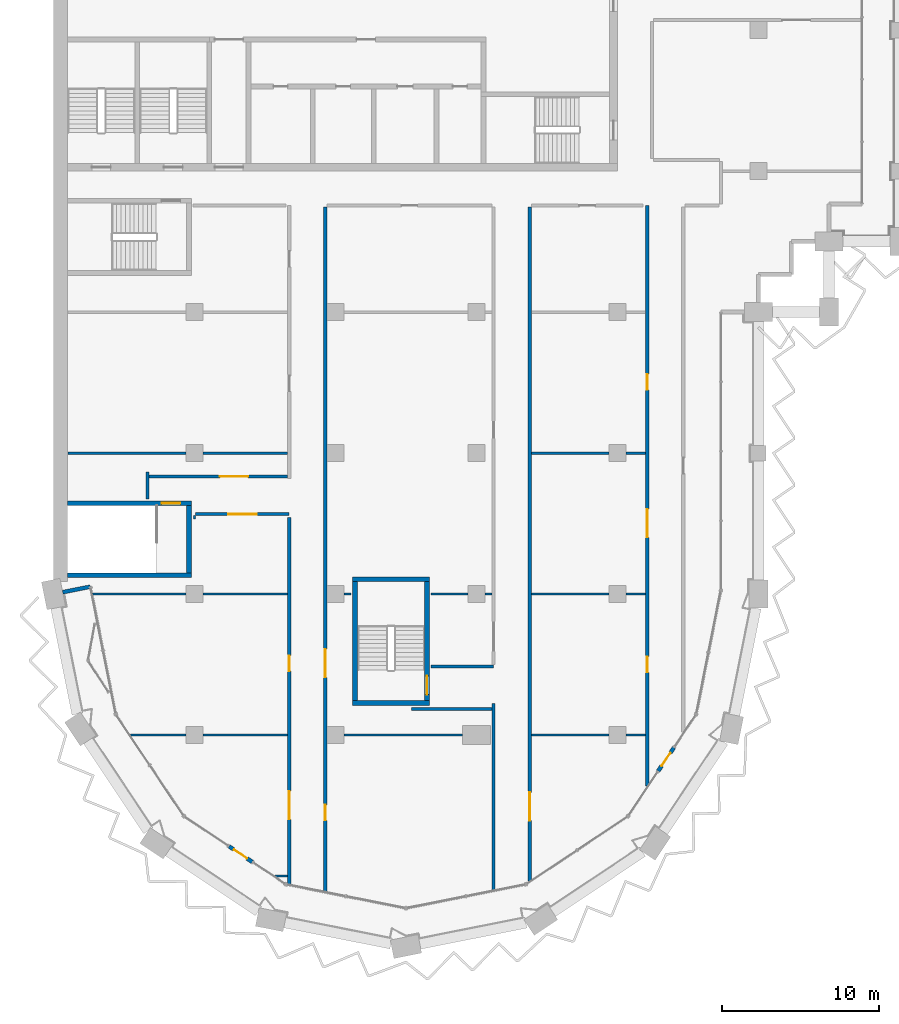
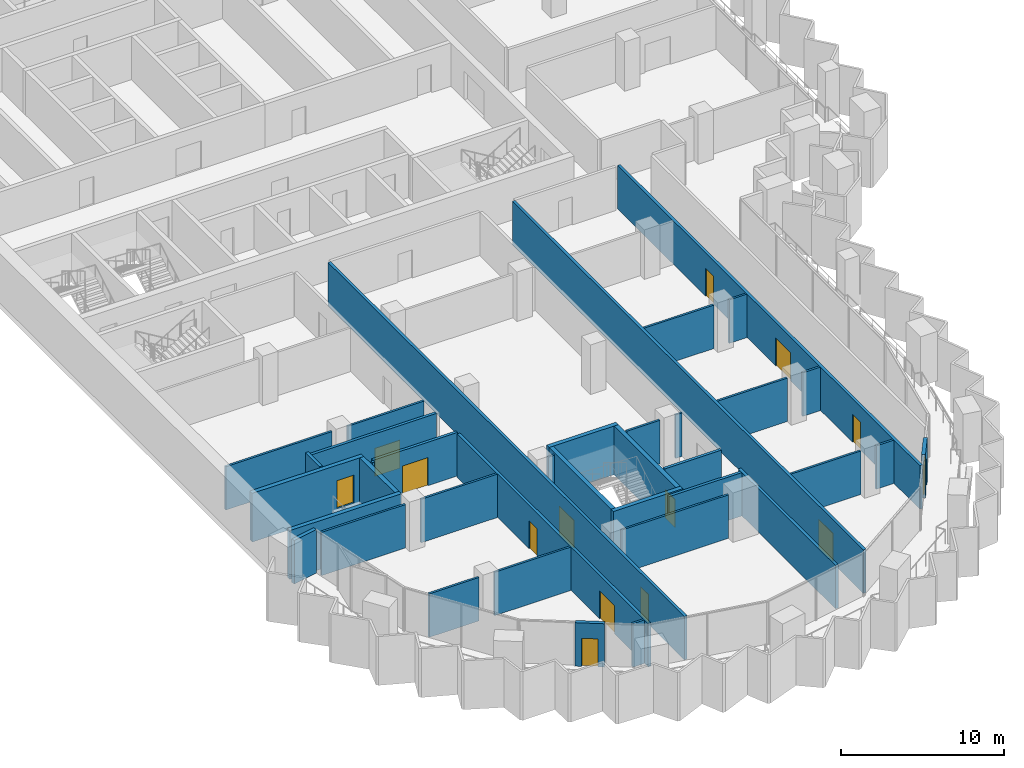
# One storey, part 9 of 18: 38 walls, 14 doors, 14 openings.
"""IFC4 building model written with IfcOpenShell, lengths in metres."""

from ifc_helpers import new_model, si_unit, direction, frame, frame_2d, origin, place, context, subcontext, project, spatial, rectangle, extrude, material, layer, layer_set, type_object, element, fill, save


model = new_model("IFC4")

# Units and contexts
model_context = context("Model", 3, precision=1e-05, world=origin(), true_north=direction((0.0, 1.0)))
body_context = subcontext(model_context, "Body", "Model", "MODEL_VIEW")
ifc_project = project(units=[si_unit("LENGTHUNIT", "METRE"), si_unit("AREAUNIT", "SQUARE_METRE"), si_unit("VOLUMEUNIT", "CUBIC_METRE"), si_unit("PLANEANGLEUNIT", "RADIAN"), si_unit("MASSUNIT", "GRAM", prefix="KILO")], contexts=[model_context])

# Site, building, storey
site_placement = place(None, origin())
site = spatial("IfcSite", under=ifc_project, at=site_placement, CompositionType="ELEMENT")
building_placement = place(site_placement, origin())
building = spatial("IfcBuilding", under=site, at=building_placement, Name="Hunhe Ridgeline Campus", CompositionType="ELEMENT")
storey_placement = place(building_placement, frame((0.0, 0.0, 223.5)))
storey = spatial("IfcBuildingStorey", under=building, at=storey_placement, Name="L57", CompositionType="ELEMENT", Elevation=223.5)

# Walls
ifc_material_1 = material(Name="Concrete C30", Category="concrete")
ifc_layer_1 = layer(ifc_material_1, 0.25)
ifc_layer_set_1 = layer_set([ifc_layer_1], Name="Corner return wall 250 Concrete C30")
wall_type_1 = type_object("IfcWallType", Name="Corner return wall 250 Concrete C30", PredefinedType="SOLIDWALL", material=ifc_layer_set_1)
wall_1_placement = place(storey_placement, frame((0.58837890625, 36.117919921875, 0.0), z_axis=(0.0, 0.0, 1.0), x_axis=(0.980840518545, 0.194812415363, 0.0)))
element("IfcWall", 1, at=wall_1_placement, inside=storey, type_object=wall_type_1, Name="Corner return wall 1", PredefinedType="SOLIDWALL", context=body_context, shape_type="SweptSolid", body=[
    extrude(rectangle(XDim=1.80078125, YDim=0.25, at=frame_2d((0.900390625, 0.0))), origin(), (0.0, 0.0, 1.0), 3.25),
])
ifc_material_2 = material(Name="Gypsum board partition")
ifc_layer_2 = layer(ifc_material_2, 0.199951171875)
ifc_layer_set_2 = layer_set([ifc_layer_2], Name="Corridor partition 200 gypsum board on steel studs")
wall_type_2 = type_object("IfcWallType", Name="Corridor partition 200 gypsum board on steel studs", PredefinedType="PARTITIONING", material=ifc_layer_set_2)
wall_2_placement = place(storey_placement, frame((28.0, 28.675048828125, 0.0), z_axis=(0.0, 0.0, 1.0), x_axis=(-1.0, 0.0, 0.0)))
element("IfcWall", 2, at=wall_2_placement, inside=storey, type_object=wall_type_2, Name="F-L57-wall-007", PredefinedType="PARTITIONING", context=body_context, shape_type="SweptSolid", body=[
    extrude(rectangle(XDim=5.14990234375, YDim=0.199951171875, at=frame_2d((2.574951171875, 0.0))), origin(), (0.0, 0.0, 1.0), 3.25),
])
wall_3_placement = place(storey_placement, frame((24.10400390625, 31.375, 0.0), z_axis=(0.0, 0.0, 1.0), x_axis=(1.0, 0.0, 0.0)))
element("IfcWall", 3, at=wall_3_placement, inside=storey, type_object=wall_type_2, Name="F-L57-wall-008", PredefinedType="PARTITIONING", context=body_context, shape_type="SweptSolid", body=[
    extrude(rectangle(XDim=3.99609375, YDim=0.199951171875, at=frame_2d((1.998046875, 0.0))), origin(), (0.0, 0.0, 1.0), 3.25),
])

# Wall, opening, door
wall_4_placement = place(storey_placement, frame((15.050048828125, 41.10009765625, 0.0), z_axis=(0.0, 0.0, 1.0), x_axis=(-1.0, 0.0, 0.0)))
wall_4 = element("IfcWall", 4, at=wall_4_placement, inside=storey, type_object=wall_type_2, Name="F-L57-wall-016", PredefinedType="PARTITIONING", context=body_context, shape_type="SweptSolid", body=[
    extrude(rectangle(XDim=5.97509765625, YDim=0.199951171875, at=frame_2d((2.987548828125, 0.0))), origin(), (0.0, 0.0, 1.0), 3.25),
])
opening_1_placement = place(wall_4_placement, frame((2.08740234375, 0.0, 0.0)))
opening_1 = element("IfcOpeningElement", 5, at=opening_1_placement, cuts=wall_4, Name="Opening RD2-009", PredefinedType="OPENING", context=body_context, shape_type="SweptSolid", body=[
    extrude(rectangle(XDim=1.800048828125, YDim=2.10009765625, at=frame_2d((0.89990234375, 1.050048828125))), frame((0.0, 0.10009765625, 0.0), z_axis=(0.0, -1.0, 0.0), x_axis=(1.0, 0.0, 0.0)), (0.0, 0.0, 1.0), 0.199951171875),
])
ifc_material_3 = material(Name="Timber door leaf", Category="wood")
door_type_1 = type_object("IfcDoorType", Name="Double fire door 1800x2100 timber FD60", OperationType="DOUBLE_DOOR_SINGLE_SWING", PredefinedType="DOOR", material=ifc_material_3)
door_1_placement = place(opening_1_placement, origin())
door_1 = element("IfcDoor", 6, at=door_1_placement, inside=storey, type_object=door_type_1, Name="F-L57-door-009", OperationType="DOUBLE_DOOR_SINGLE_SWING", OverallHeight=2.10009765625, OverallWidth=1.800048828125, PredefinedType="DOOR", context=body_context, shape_type="SweptSolid", body=[
    extrude(rectangle(XDim=1.800048828125, YDim=2.10009765625, at=frame_2d((0.89990234375, 1.050048828125))), frame((0.0, 0.02490234375, 0.0), z_axis=(0.0, -1.0, 0.0), x_axis=(1.0, 0.0, 0.0)), (0.0, 0.0, 1.0), 0.050048828125),
])
fill(opening_1, door_1)

wall_5_placement = place(storey_placement, frame((6.10009765625, 43.5, 0.0), z_axis=(0.0, 0.0, 1.0), x_axis=(1.0, 0.0, 0.0)))
wall_5 = element("IfcWall", 7, at=wall_5_placement, inside=storey, type_object=wall_type_2, Name="F-L57-wall-017", PredefinedType="PARTITIONING", context=body_context, shape_type="SweptSolid", body=[
    extrude(rectangle(XDim=8.849853515625, YDim=0.199951171875, at=frame_2d((4.4248046875, 0.0))), origin(), (0.0, 0.0, 1.0), 3.25),
])
opening_2_placement = place(wall_5_placement, frame((4.52490234375, 0.0, 0.0)))
opening_2 = element("IfcOpeningElement", 8, at=opening_2_placement, cuts=wall_5, Name="Opening RD2-010", PredefinedType="OPENING", context=body_context, shape_type="SweptSolid", body=[
    extrude(rectangle(XDim=1.800048828125, YDim=2.10009765625, at=frame_2d((0.89990234375, 1.050048828125))), frame((0.0, 0.10009765625, 0.0), z_axis=(0.0, -1.0, 0.0), x_axis=(1.0, 0.0, 0.0)), (0.0, 0.0, 1.0), 0.199951171875),
])
door_2_placement = place(opening_2_placement, origin())
door_2 = element("IfcDoor", 9, at=door_2_placement, inside=storey, type_object=door_type_1, Name="F-L57-door-010", OperationType="DOUBLE_DOOR_SINGLE_SWING", OverallHeight=2.10009765625, OverallWidth=1.800048828125, PredefinedType="DOOR", context=body_context, shape_type="SweptSolid", body=[
    extrude(rectangle(XDim=1.800048828125, YDim=2.10009765625, at=frame_2d((0.89990234375, 1.050048828125))), frame((0.0, 0.02490234375, 0.0), z_axis=(0.0, -1.0, 0.0), x_axis=(1.0, 0.0, 0.0)), (0.0, 0.0, 1.0), 0.050048828125),
])
fill(opening_2, door_2)

# Wall
wall_6_placement = place(storey_placement, frame((6.0, 42.053955078125, 0.0), z_axis=(0.0, 0.0, 1.0), x_axis=(0.0, 1.0, 0.0)))
element("IfcWall", 10, at=wall_6_placement, inside=storey, type_object=wall_type_2, Name="F-L57-wall-038", PredefinedType="PARTITIONING", context=body_context, shape_type="SweptSolid", body=[
    extrude(rectangle(XDim=1.74609375, YDim=0.199951171875, at=frame_2d((0.873046875, 0.0))), origin(), (0.0, 0.0, 1.0), 3.25),
])

# Wall, openings, doors
wall_7_placement = place(storey_placement, frame((15.050048828125, 17.485107421875, 0.0), z_axis=(0.0, 0.0, 1.0), x_axis=(0.0, 1.0, 0.0)))
wall_7 = element("IfcWall", 11, at=wall_7_placement, inside=storey, type_object=wall_type_2, Name="F-L57-wall-040", PredefinedType="PARTITIONING", context=body_context, shape_type="SweptSolid", body=[
    extrude(rectangle(XDim=23.39990234375, YDim=0.199951171875, at=frame_2d((11.699951171875, 0.0))), origin(), (0.0, 0.0, 1.0), 3.25),
])
opening_3_placement = place(wall_7_placement, frame((4.13232421875, 0.0, 0.0)))
opening_3 = element("IfcOpeningElement", 12, at=opening_3_placement, cuts=wall_7, Name="Opening RD2-003", PredefinedType="OPENING", context=body_context, shape_type="SweptSolid", body=[
    extrude(rectangle(XDim=1.800048828125, YDim=2.10009765625, at=frame_2d((0.89990234375, 1.050048828125))), frame((0.0, 0.10009765625, 0.0), z_axis=(0.0, -1.0, 0.0), x_axis=(1.0, 0.0, 0.0)), (0.0, 0.0, 1.0), 0.199951171875),
])
opening_4_placement = place(wall_7_placement, frame((13.59033203125, 0.0, 0.0)))
opening_4 = element("IfcOpeningElement", 13, at=opening_4_placement, cuts=wall_7, Name="Opening RD1-005", PredefinedType="OPENING", context=body_context, shape_type="SweptSolid", body=[
    extrude(rectangle(XDim=1.0, YDim=2.10009765625, at=frame_2d((0.5, 1.050048828125))), frame((0.0, 0.10009765625, 0.0), z_axis=(0.0, -1.0, 0.0), x_axis=(1.0, 0.0, 0.0)), (0.0, 0.0, 1.0), 0.199951171875),
])
door_3_placement = place(opening_3_placement, origin())
door_3 = element("IfcDoor", 14, at=door_3_placement, inside=storey, type_object=door_type_1, Name="F-L57-door-003", OperationType="DOUBLE_DOOR_SINGLE_SWING", OverallHeight=2.10009765625, OverallWidth=1.800048828125, PredefinedType="DOOR", context=body_context, shape_type="SweptSolid", body=[
    extrude(rectangle(XDim=1.800048828125, YDim=2.10009765625, at=frame_2d((0.89990234375, 1.050048828125))), frame((0.0, 0.02490234375, 0.0), z_axis=(0.0, -1.0, 0.0), x_axis=(1.0, 0.0, 0.0)), (0.0, 0.0, 1.0), 0.050048828125),
])
fill(opening_3, door_3)
door_type_2 = type_object("IfcDoorType", Name="Single fire door 1000x2100 timber FD60", OperationType="NOTDEFINED", PredefinedType="DOOR", material=ifc_material_3)
door_4_placement = place(opening_4_placement, origin())
door_4 = element("IfcDoor", 15, at=door_4_placement, inside=storey, type_object=door_type_2, Name="F-L57-door-005", OperationType="SINGLE_SWING_RIGHT", OverallHeight=2.10009765625, OverallWidth=1.0, PredefinedType="DOOR", context=body_context, shape_type="SweptSolid", body=[
    extrude(rectangle(XDim=1.0, YDim=2.10009765625, at=frame_2d((0.5, 1.050048828125))), frame((0.0, 0.02490234375, 0.0), z_axis=(0.0, -1.0, 0.0), x_axis=(1.0, 0.0, 0.0)), (0.0, 0.0, 1.0), 0.050048828125),
])
fill(opening_4, door_4)

wall_8_placement = place(storey_placement, frame((17.35009765625, 60.699951171875, 0.0), z_axis=(0.0, 0.0, 1.0), x_axis=(0.0, -1.0, 0.0)))
wall_8 = element("IfcWall", 16, at=wall_8_placement, inside=storey, type_object=wall_type_2, Name="F-L57-wall-042", PredefinedType="PARTITIONING", context=body_context, shape_type="SweptSolid", body=[
    extrude(rectangle(XDim=43.67236328125, YDim=0.199951171875, at=frame_2d((21.836181640625, 0.0))), origin(), (0.0, 0.0, 1.0), 3.25),
])
opening_5_placement = place(wall_8_placement, frame((38.152587890625, 0.0, 0.0)))
opening_5 = element("IfcOpeningElement", 17, at=opening_5_placement, cuts=wall_8, Name="Opening RD1-001", PredefinedType="OPENING", context=body_context, shape_type="SweptSolid", body=[
    extrude(rectangle(XDim=1.0, YDim=2.10009765625, at=frame_2d((0.5, 1.050048828125))), frame((0.0, 0.10009765625, 0.0), z_axis=(0.0, -1.0, 0.0), x_axis=(1.0, 0.0, 0.0)), (0.0, 0.0, 1.0), 0.199951171875),
])
opening_6_placement = place(wall_8_placement, frame((28.215087890625, 0.0, 0.0)))
opening_6 = element("IfcOpeningElement", 18, at=opening_6_placement, cuts=wall_8, Name="Opening RD2-006", PredefinedType="OPENING", context=body_context, shape_type="SweptSolid", body=[
    extrude(rectangle(XDim=1.800048828125, YDim=2.10009765625, at=frame_2d((0.89990234375, 1.050048828125))), frame((0.0, 0.10009765625, 0.0), z_axis=(0.0, -1.0, 0.0), x_axis=(1.0, 0.0, 0.0)), (0.0, 0.0, 1.0), 0.199951171875),
])
door_5_placement = place(opening_6_placement, origin())
door_5 = element("IfcDoor", 19, at=door_5_placement, inside=storey, type_object=door_type_1, Name="F-L57-door-006", OperationType="DOUBLE_DOOR_SINGLE_SWING", OverallHeight=2.10009765625, OverallWidth=1.800048828125, PredefinedType="DOOR", context=body_context, shape_type="SweptSolid", body=[
    extrude(rectangle(XDim=1.800048828125, YDim=2.10009765625, at=frame_2d((0.89990234375, 1.050048828125))), frame((0.0, 0.02490234375, 0.0), z_axis=(0.0, -1.0, 0.0), x_axis=(1.0, 0.0, 0.0)), (0.0, 0.0, 1.0), 0.050048828125),
])
fill(opening_6, door_5)
door_6_placement = place(opening_5_placement, origin())
door_6 = element("IfcDoor", 20, at=door_6_placement, inside=storey, type_object=door_type_2, Name="F-L57-door-001", OperationType="SINGLE_SWING_LEFT", OverallHeight=2.10009765625, OverallWidth=1.0, PredefinedType="DOOR", context=body_context, shape_type="SweptSolid", body=[
    extrude(rectangle(XDim=1.0, YDim=2.10009765625, at=frame_2d((0.5, 1.050048828125))), frame((0.0, 0.02490234375, 0.0), z_axis=(0.0, -1.0, 0.0), x_axis=(1.0, 0.0, 0.0)), (0.0, 0.0, 1.0), 0.050048828125),
])
fill(opening_5, door_6)

# Wall
wall_9_placement = place(storey_placement, frame((28.10009765625, 17.116943359375, 0.0), z_axis=(0.0, 0.0, 1.0), x_axis=(0.0, 1.0, 0.0)))
element("IfcWall", 21, at=wall_9_placement, inside=storey, type_object=wall_type_2, Name="F-L57-wall-043", PredefinedType="PARTITIONING", context=body_context, shape_type="SweptSolid", body=[
    extrude(rectangle(XDim=11.91357421875, YDim=0.199951171875, at=frame_2d((5.956787109375, 0.0))), origin(), (0.0, 0.0, 1.0), 3.25),
])

# Wall, opening, door
wall_10_placement = place(storey_placement, frame((30.39990234375, 60.699951171875, 0.0), z_axis=(0.0, 0.0, 1.0), x_axis=(0.0, -1.0, 0.0)))
wall_10 = element("IfcWall", 22, at=wall_10_placement, inside=storey, type_object=wall_type_2, Name="F-L57-wall-045", PredefinedType="PARTITIONING", context=body_context, shape_type="SweptSolid", body=[
    extrude(rectangle(XDim=43.00927734375, YDim=0.199951171875, at=frame_2d((21.504638671875, 0.0))), origin(), (0.0, 0.0, 1.0), 3.25),
])
opening_7_placement = place(wall_10_placement, frame((37.3583984375, 0.0, 0.0)))
opening_7 = element("IfcOpeningElement", 23, at=opening_7_placement, cuts=wall_10, Name="Opening RD2-002", PredefinedType="OPENING", context=body_context, shape_type="SweptSolid", body=[
    extrude(rectangle(XDim=1.800048828125, YDim=2.10009765625, at=frame_2d((0.89990234375, 1.050048828125))), frame((0.0, 0.10009765625, 0.0), z_axis=(0.0, -1.0, 0.0), x_axis=(1.0, 0.0, 0.0)), (0.0, 0.0, 1.0), 0.199951171875),
])
door_7_placement = place(opening_7_placement, origin())
door_7 = element("IfcDoor", 24, at=door_7_placement, inside=storey, type_object=door_type_1, Name="F-L57-door-002", OperationType="DOUBLE_DOOR_SINGLE_SWING", OverallHeight=2.10009765625, OverallWidth=1.800048828125, PredefinedType="DOOR", context=body_context, shape_type="SweptSolid", body=[
    extrude(rectangle(XDim=1.800048828125, YDim=2.10009765625, at=frame_2d((0.89990234375, 1.050048828125))), frame((0.0, 0.02490234375, 0.0), z_axis=(0.0, -1.0, 0.0), x_axis=(1.0, 0.0, 0.0)), (0.0, 0.0, 1.0), 0.050048828125),
])
fill(opening_7, door_7)

# Wall, openings, doors
wall_11_placement = place(storey_placement, frame((37.89990234375, 23.745849609375, 0.0), z_axis=(0.0, 0.0, 1.0), x_axis=(0.0, 1.0, 0.0)))
wall_11 = element("IfcWall", 25, at=wall_11_placement, inside=storey, type_object=wall_type_2, Name="F-L57-wall-046", PredefinedType="PARTITIONING", context=body_context, shape_type="SweptSolid", body=[
    extrude(rectangle(XDim=37.05419921875, YDim=0.199951171875, at=frame_2d((18.527099609375, 0.0))), origin(), (0.0, 0.0, 1.0), 3.25),
])
opening_8_placement = place(wall_11_placement, frame((7.26123046875, 0.0, 0.0)))
opening_8 = element("IfcOpeningElement", 26, at=opening_8_placement, cuts=wall_11, Name="Opening RD1-004", PredefinedType="OPENING", context=body_context, shape_type="SweptSolid", body=[
    extrude(rectangle(XDim=1.0, YDim=2.10009765625, at=frame_2d((0.5, 1.050048828125))), frame((0.0, 0.10009765625, 0.0), z_axis=(0.0, -1.0, 0.0), x_axis=(1.0, 0.0, 0.0)), (0.0, 0.0, 1.0), 0.199951171875),
])
opening_9_placement = place(wall_11_placement, frame((15.87451171875, 0.0, 0.0)))
opening_9 = element("IfcOpeningElement", 27, at=opening_9_placement, cuts=wall_11, Name="Opening RD2-008", PredefinedType="OPENING", context=body_context, shape_type="SweptSolid", body=[
    extrude(rectangle(XDim=1.800048828125, YDim=2.10009765625, at=frame_2d((0.89990234375, 1.050048828125))), frame((0.0, 0.10009765625, 0.0), z_axis=(0.0, -1.0, 0.0), x_axis=(1.0, 0.0, 0.0)), (0.0, 0.0, 1.0), 0.199951171875),
])
opening_10_placement = place(wall_11_placement, frame((25.28759765625, 0.0, 0.0)))
opening_10 = element("IfcOpeningElement", 28, at=opening_10_placement, cuts=wall_11, Name="Opening RD1-014", PredefinedType="OPENING", context=body_context, shape_type="SweptSolid", body=[
    extrude(rectangle(XDim=1.0, YDim=2.10009765625, at=frame_2d((0.5, 1.050048828125))), frame((0.0, 0.10009765625, 0.0), z_axis=(0.0, -1.0, 0.0), x_axis=(1.0, 0.0, 0.0)), (0.0, 0.0, 1.0), 0.199951171875),
])
door_8_placement = place(opening_9_placement, origin())
door_8 = element("IfcDoor", 29, at=door_8_placement, inside=storey, type_object=door_type_1, Name="F-L57-door-008", OperationType="DOUBLE_DOOR_SINGLE_SWING", OverallHeight=2.10009765625, OverallWidth=1.800048828125, PredefinedType="DOOR", context=body_context, shape_type="SweptSolid", body=[
    extrude(rectangle(XDim=1.800048828125, YDim=2.10009765625, at=frame_2d((0.89990234375, 1.050048828125))), frame((0.0, 0.02490234375, 0.0), z_axis=(0.0, -1.0, 0.0), x_axis=(1.0, 0.0, 0.0)), (0.0, 0.0, 1.0), 0.050048828125),
])
fill(opening_9, door_8)
door_9_placement = place(opening_8_placement, origin())
door_9 = element("IfcDoor", 30, at=door_9_placement, inside=storey, type_object=door_type_2, Name="F-L57-door-004", OperationType="SINGLE_SWING_RIGHT", OverallHeight=2.10009765625, OverallWidth=1.0, PredefinedType="DOOR", context=body_context, shape_type="SweptSolid", body=[
    extrude(rectangle(XDim=1.0, YDim=2.10009765625, at=frame_2d((0.5, 1.050048828125))), frame((0.0, 0.02490234375, 0.0), z_axis=(0.0, -1.0, 0.0), x_axis=(1.0, 0.0, 0.0)), (0.0, 0.0, 1.0), 0.050048828125),
])
fill(opening_8, door_9)
door_10_placement = place(opening_10_placement, origin())
door_10 = element("IfcDoor", 31, at=door_10_placement, inside=storey, type_object=door_type_2, Name="F-L57-door-014", OperationType="SINGLE_SWING_RIGHT", OverallHeight=2.10009765625, OverallWidth=1.0, PredefinedType="DOOR", context=body_context, shape_type="SweptSolid", body=[
    extrude(rectangle(XDim=1.0, YDim=2.10009765625, at=frame_2d((0.5, 1.050048828125))), frame((0.0, 0.02490234375, 0.0), z_axis=(0.0, -1.0, 0.0), x_axis=(1.0, 0.0, 0.0)), (0.0, 0.0, 1.0), 0.050048828125),
])
fill(opening_10, door_10)

# Wall, opening, door
ifc_layer_3 = layer(ifc_material_1, 0.25)
ifc_layer_set_3 = layer_set([ifc_layer_3], Name="Loggia door pier wall 250 Concrete C30")
wall_type_3 = type_object("IfcWallType", Name="Loggia door pier wall 250 Concrete C30", PredefinedType="SOLIDWALL", material=ifc_layer_set_3)
wall_12_placement = place(storey_placement, frame((11.19970703125, 19.897705078125, 0.0), z_axis=(0.0, 0.0, 1.0), x_axis=(0.83146554274, -0.555576323502, 0.0)))
wall_12 = element("IfcWall", 32, at=wall_12_placement, inside=storey, type_object=wall_type_3, Name="Loggia door pier 1", PredefinedType="SOLIDWALL", context=body_context, shape_type="SweptSolid", body=[
    extrude(rectangle(XDim=1.800048828125, YDim=0.25, at=frame_2d((0.89990234375, 0.0))), origin(), (0.0, 0.0, 1.0), 3.25),
])
opening_11_placement = place(wall_12_placement, frame((0.39990234375, 0.0, 0.0)))
opening_11 = element("IfcOpeningElement", 33, at=opening_11_placement, cuts=wall_12, Name="Opening BD402", PredefinedType="OPENING", context=body_context, shape_type="SweptSolid", body=[
    extrude(rectangle(XDim=1.0, YDim=2.10009765625, at=frame_2d((0.5, 1.050048828125))), frame((0.0, 0.125, 0.0), z_axis=(0.0, -1.0, 0.0), x_axis=(1.0, 0.0, 0.0)), (0.0, 0.0, 1.0), 0.25),
])
ifc_material_4 = material(Name="Aluminium 6063", Category="aluminium")
door_type_3 = type_object("IfcDoorType", Name="Loggia glazed door 1000x2100", OperationType="NOTDEFINED", PredefinedType="DOOR", material=ifc_material_4)
door_11_placement = place(opening_11_placement, frame((1.0, 0.0, 0.0), z_axis=(0.0, 0.0, 1.0), x_axis=(-1.0, 0.0, 0.0)))
door_11 = element("IfcDoor", 34, at=door_11_placement, inside=storey, type_object=door_type_3, Name="Loggia door BD402", OperationType="SINGLE_SWING_LEFT", OverallHeight=2.10009765625, OverallWidth=1.0, PredefinedType="DOOR", context=body_context, shape_type="SweptSolid", body=[
    extrude(rectangle(XDim=1.0, YDim=2.10009765625, at=frame_2d((0.5, 1.050048828125))), frame((0.0, 0.02490234375, 0.0), z_axis=(0.0, -1.0, 0.0), x_axis=(1.0, 0.0, 0.0)), (0.0, 0.0, 1.0), 0.050048828125),
])
fill(opening_11, door_11)

wall_13_placement = place(storey_placement, frame((38.602294921875, 24.69970703125, 0.0), z_axis=(0.0, 0.0, 1.0), x_axis=(0.555576323502, 0.83146554274, 0.0)))
wall_13 = element("IfcWall", 35, at=wall_13_placement, inside=storey, type_object=wall_type_3, Name="Loggia door pier 2", PredefinedType="SOLIDWALL", context=body_context, shape_type="SweptSolid", body=[
    extrude(rectangle(XDim=1.800048828125, YDim=0.25, at=frame_2d((0.89990234375, 0.0))), origin(), (0.0, 0.0, 1.0), 3.25),
])
opening_12_placement = place(wall_13_placement, frame((0.39990234375, 0.0, 0.0)))
opening_12 = element("IfcOpeningElement", 36, at=opening_12_placement, cuts=wall_13, Name="Opening BD404", PredefinedType="OPENING", context=body_context, shape_type="SweptSolid", body=[
    extrude(rectangle(XDim=1.0, YDim=2.10009765625, at=frame_2d((0.5, 1.050048828125))), frame((0.0, 0.125, 0.0), z_axis=(0.0, -1.0, 0.0), x_axis=(1.0, 0.0, 0.0)), (0.0, 0.0, 1.0), 0.25),
])
door_12_placement = place(opening_12_placement, frame((1.0, 0.0, 0.0), z_axis=(0.0, 0.0, 1.0), x_axis=(-1.0, 0.0, 0.0)))
door_12 = element("IfcDoor", 37, at=door_12_placement, inside=storey, type_object=door_type_3, Name="Loggia door BD404", OperationType="SINGLE_SWING_LEFT", OverallHeight=2.10009765625, OverallWidth=1.0, PredefinedType="DOOR", context=body_context, shape_type="SweptSolid", body=[
    extrude(rectangle(XDim=1.0, YDim=2.10009765625, at=frame_2d((0.5, 1.050048828125))), frame((0.0, 0.02490234375, 0.0), z_axis=(0.0, -1.0, 0.0), x_axis=(1.0, 0.0, 0.0)), (0.0, 0.0, 1.0), 0.050048828125),
])
fill(opening_12, door_12)

# Walls
ifc_layer_4 = layer(ifc_material_2, 0.14990234375)
ifc_layer_set_4 = layer_set([ifc_layer_4], Name="Room partition 150 gypsum board on steel studs")
wall_type_4 = type_object("IfcWallType", Name="Room partition 150 gypsum board on steel studs", PredefinedType="PARTITIONING", material=ifc_layer_set_4)
wall_14_placement = place(storey_placement, frame((14.136962890625, 18.0, 0.0), z_axis=(0.0, 0.0, 1.0), x_axis=(1.0, 0.0, 0.0)))
element("IfcWall", 38, at=wall_14_placement, inside=storey, type_object=wall_type_4, Name="F-L57-wall-001", PredefinedType="PARTITIONING", context=body_context, shape_type="SweptSolid", body=[
    extrude(rectangle(XDim=0.81298828125, YDim=0.14990234375, at=frame_2d((0.406494140625, 0.0))), origin(), (0.0, 0.0, 1.0), 3.25),
])
wall_15_placement = place(storey_placement, frame((4.925537109375, 27.0, 0.0), z_axis=(0.0, 0.0, 1.0), x_axis=(1.0, 0.0, 0.0)))
element("IfcWall", 39, at=wall_15_placement, inside=storey, type_object=wall_type_4, Name="F-L57-wall-002", PredefinedType="PARTITIONING", context=body_context, shape_type="SweptSolid", body=[
    extrude(rectangle(XDim=3.5244140625, YDim=0.14990234375, at=frame_2d((1.76220703125, 0.0))), origin(), (0.0, 0.0, 1.0), 3.25),
])
wall_16_placement = place(storey_placement, frame((9.550048828125, 27.0, 0.0), z_axis=(0.0, 0.0, 1.0), x_axis=(1.0, 0.0, 0.0)))
element("IfcWall", 40, at=wall_16_placement, inside=storey, type_object=wall_type_4, Name="F-L57-wall-003", PredefinedType="PARTITIONING", context=body_context, shape_type="SweptSolid", body=[
    extrude(rectangle(XDim=5.39990234375, YDim=0.14990234375, at=frame_2d((2.699951171875, 0.0))), origin(), (0.0, 0.0, 1.0), 3.25),
])
wall_17_placement = place(storey_placement, frame((18.550048828125, 27.0, 0.0), z_axis=(0.0, 0.0, 1.0), x_axis=(1.0, 0.0, 0.0)))
element("IfcWall", 41, at=wall_17_placement, inside=storey, type_object=wall_type_4, Name="F-L57-wall-004", PredefinedType="PARTITIONING", context=body_context, shape_type="SweptSolid", body=[
    extrude(rectangle(XDim=7.550048828125, YDim=0.14990234375, at=frame_2d((3.77490234375, 0.0))), origin(), (0.0, 0.0, 1.0), 3.25),
])
wall_18_placement = place(storey_placement, frame((30.5, 27.0, 0.0), z_axis=(0.0, 0.0, 1.0), x_axis=(1.0, 0.0, 0.0)))
element("IfcWall", 42, at=wall_18_placement, inside=storey, type_object=wall_type_4, Name="F-L57-wall-005", PredefinedType="PARTITIONING", context=body_context, shape_type="SweptSolid", body=[
    extrude(rectangle(XDim=4.949951171875, YDim=0.14990234375, at=frame_2d((2.47509765625, 0.0))), origin(), (0.0, 0.0, 1.0), 3.25),
])
wall_19_placement = place(storey_placement, frame((36.550048828125, 27.0, 0.0), z_axis=(0.0, 0.0, 1.0), x_axis=(1.0, 0.0, 0.0)))
element("IfcWall", 43, at=wall_19_placement, inside=storey, type_object=wall_type_4, Name="F-L57-wall-006", PredefinedType="PARTITIONING", context=body_context, shape_type="SweptSolid", body=[
    extrude(rectangle(XDim=1.25, YDim=0.14990234375, at=frame_2d((0.625, 0.0))), origin(), (0.0, 0.0, 1.0), 3.25),
])
wall_20_placement = place(storey_placement, frame((2.503173828125, 36.0, 0.0), z_axis=(0.0, 0.0, 1.0), x_axis=(1.0, 0.0, 0.0)))
element("IfcWall", 44, at=wall_20_placement, inside=storey, type_object=wall_type_4, Name="F-L57-wall-009", PredefinedType="PARTITIONING", context=body_context, shape_type="SweptSolid", body=[
    extrude(rectangle(XDim=5.94677734375, YDim=0.14990234375, at=frame_2d((2.973388671875, 0.0))), origin(), (0.0, 0.0, 1.0), 3.25),
])
wall_21_placement = place(storey_placement, frame((9.550048828125, 36.0, 0.0), z_axis=(0.0, 0.0, 1.0), x_axis=(1.0, 0.0, 0.0)))
element("IfcWall", 45, at=wall_21_placement, inside=storey, type_object=wall_type_4, Name="F-L57-wall-010", PredefinedType="PARTITIONING", context=body_context, shape_type="SweptSolid", body=[
    extrude(rectangle(XDim=5.39990234375, YDim=0.14990234375, at=frame_2d((2.699951171875, 0.0))), origin(), (0.0, 0.0, 1.0), 3.25),
])
wall_22_placement = place(storey_placement, frame((18.550048828125, 36.0, 0.0), z_axis=(0.0, 0.0, 1.0), x_axis=(1.0, 0.0, 0.0)))
element("IfcWall", 46, at=wall_22_placement, inside=storey, type_object=wall_type_4, Name="F-L57-wall-011", PredefinedType="PARTITIONING", context=body_context, shape_type="SweptSolid", body=[
    extrude(rectangle(XDim=0.446044921875, YDim=0.14990234375, at=frame_2d((0.22314453125, 0.0))), origin(), (0.0, 0.0, 1.0), 3.25),
])
wall_23_placement = place(storey_placement, frame((24.10400390625, 36.0, 0.0), z_axis=(0.0, 0.0, 1.0), x_axis=(1.0, 0.0, 0.0)))
element("IfcWall", 47, at=wall_23_placement, inside=storey, type_object=wall_type_4, Name="F-L57-wall-012", PredefinedType="PARTITIONING", context=body_context, shape_type="SweptSolid", body=[
    extrude(rectangle(XDim=2.345947265625, YDim=0.14990234375, at=frame_2d((1.1728515625, 0.0))), origin(), (0.0, 0.0, 1.0), 3.25),
])
wall_24_placement = place(storey_placement, frame((27.550048828125, 36.0, 0.0), z_axis=(0.0, 0.0, 1.0), x_axis=(1.0, 0.0, 0.0)))
element("IfcWall", 48, at=wall_24_placement, inside=storey, type_object=wall_type_4, Name="F-L57-wall-013", PredefinedType="PARTITIONING", context=body_context, shape_type="SweptSolid", body=[
    extrude(rectangle(XDim=0.449951171875, YDim=0.14990234375, at=frame_2d((0.22509765625, 0.0))), origin(), (0.0, 0.0, 1.0), 3.25),
])
wall_25_placement = place(storey_placement, frame((30.5, 36.0, 0.0), z_axis=(0.0, 0.0, 1.0), x_axis=(1.0, 0.0, 0.0)))
element("IfcWall", 49, at=wall_25_placement, inside=storey, type_object=wall_type_4, Name="F-L57-wall-014", PredefinedType="PARTITIONING", context=body_context, shape_type="SweptSolid", body=[
    extrude(rectangle(XDim=4.949951171875, YDim=0.14990234375, at=frame_2d((2.47509765625, 0.0))), origin(), (0.0, 0.0, 1.0), 3.25),
])
wall_26_placement = place(storey_placement, frame((36.550048828125, 36.0, 0.0), z_axis=(0.0, 0.0, 1.0), x_axis=(1.0, 0.0, 0.0)))
element("IfcWall", 50, at=wall_26_placement, inside=storey, type_object=wall_type_4, Name="F-L57-wall-015", PredefinedType="PARTITIONING", context=body_context, shape_type="SweptSolid", body=[
    extrude(rectangle(XDim=1.25, YDim=0.14990234375, at=frame_2d((0.625, 0.0))), origin(), (0.0, 0.0, 1.0), 3.25),
])
wall_27_placement = place(storey_placement, frame((0.919921875, 45.0, 0.0), z_axis=(0.0, 0.0, 1.0), x_axis=(1.0, 0.0, 0.0)))
element("IfcWall", 51, at=wall_27_placement, inside=storey, type_object=wall_type_4, Name="F-L57-wall-018", PredefinedType="PARTITIONING", context=body_context, shape_type="SweptSolid", body=[
    extrude(rectangle(XDim=7.530029296875, YDim=0.14990234375, at=frame_2d((3.76513671875, 0.0))), origin(), (0.0, 0.0, 1.0), 3.25),
])
wall_28_placement = place(storey_placement, frame((9.550048828125, 45.0, 0.0), z_axis=(0.0, 0.0, 1.0), x_axis=(1.0, 0.0, 0.0)))
element("IfcWall", 52, at=wall_28_placement, inside=storey, type_object=wall_type_4, Name="F-L57-wall-019", PredefinedType="PARTITIONING", context=body_context, shape_type="SweptSolid", body=[
    extrude(rectangle(XDim=5.39990234375, YDim=0.14990234375, at=frame_2d((2.699951171875, 0.0))), origin(), (0.0, 0.0, 1.0), 3.25),
])
wall_29_placement = place(storey_placement, frame((30.5, 45.0, 0.0), z_axis=(0.0, 0.0, 1.0), x_axis=(1.0, 0.0, 0.0)))
element("IfcWall", 53, at=wall_29_placement, inside=storey, type_object=wall_type_4, Name="F-L57-wall-020", PredefinedType="PARTITIONING", context=body_context, shape_type="SweptSolid", body=[
    extrude(rectangle(XDim=4.949951171875, YDim=0.14990234375, at=frame_2d((2.47509765625, 0.0))), origin(), (0.0, 0.0, 1.0), 3.25),
])
wall_30_placement = place(storey_placement, frame((36.550048828125, 45.0, 0.0), z_axis=(0.0, 0.0, 1.0), x_axis=(1.0, 0.0, 0.0)))
element("IfcWall", 54, at=wall_30_placement, inside=storey, type_object=wall_type_4, Name="F-L57-wall-021", PredefinedType="PARTITIONING", context=body_context, shape_type="SweptSolid", body=[
    extrude(rectangle(XDim=1.25, YDim=0.14990234375, at=frame_2d((0.625, 0.0))), origin(), (0.0, 0.0, 1.0), 3.25),
])
wall_31_placement = place(storey_placement, frame((9.0, 41.0, 0.0), z_axis=(0.0, 0.0, 1.0), x_axis=(0.0, -1.0, 0.0)))
element("IfcWall", 55, at=wall_31_placement, inside=storey, type_object=wall_type_4, Name="F-L57-wall-039", PredefinedType="PARTITIONING", context=body_context, shape_type="SweptSolid", body=[
    extrude(rectangle(XDim=0.199951171875, YDim=0.14990234375, at=frame_2d((0.10009765625, 0.0))), origin(), (0.0, 0.0, 1.0), 3.25),
])
ifc_material_5 = material(Name="Concrete C60", Category="concrete")
ifc_layer_5 = layer(ifc_material_5, 0.300048828125)
ifc_layer_set_5 = layer_set([ifc_layer_5], Name="Stair wall 300 reinforced concrete C60")
wall_type_5 = type_object("IfcWallType", Name="Stair wall 300 reinforced concrete C60", PredefinedType="SOLIDWALL", material=ifc_layer_set_5)
for number, where, z_axis, x_axis, name in (
    (56, (19.10009765625, 29.050048828125, -0.39990234375), (0.0, 0.0, 1.0), (1.0, 0.0, 0.0), "L57 core wall 1"),
    (57, (19.10009765625, 36.949951171875, -0.39990234375), (0.0, 0.0, 1.0), (1.0, 0.0, 0.0), "L57 core wall 2"),
):
    element("IfcWall", number, at=place(storey_placement, frame(where, z_axis=z_axis, x_axis=x_axis)), inside=storey, type_object=wall_type_5, Name=name, PredefinedType="SOLIDWALL", context=body_context, shape_type="SweptSolid", body=[
        extrude(rectangle(XDim=4.89990234375, YDim=0.300048828125, at=frame_2d((2.449951171875, 0.0))), origin(), (0.0, 0.0, 1.0), 3.64990234375),
    ])
wall_32_placement = place(storey_placement, frame((0.89990234375, 37.199951171875, -0.39990234375), z_axis=(0.0, 0.0, 1.0), x_axis=(1.0, 0.0, 0.0)))
element("IfcWall", 58, at=wall_32_placement, inside=storey, type_object=wall_type_5, Name="L57 core wall 3", PredefinedType="SOLIDWALL", context=body_context, shape_type="SweptSolid", body=[
    extrude(rectangle(XDim=7.900146484375, YDim=0.300048828125, at=frame_2d((3.9501953125, 0.0))), origin(), (0.0, 0.0, 1.0), 3.64990234375),
])

# Wall, opening, door
wall_33_placement = place(storey_placement, frame((0.89990234375, 41.800048828125, -0.39990234375), z_axis=(0.0, 0.0, 1.0), x_axis=(1.0, 0.0, 0.0)))
wall_33 = element("IfcWall", 59, at=wall_33_placement, inside=storey, type_object=wall_type_5, Name="L57 core wall 4", PredefinedType="SOLIDWALL", context=body_context, shape_type="SweptSolid", body=[
    extrude(rectangle(XDim=7.900146484375, YDim=0.300048828125, at=frame_2d((3.9501953125, 0.0))), origin(), (0.0, 0.0, 1.0), 3.64990234375),
])
opening_13_placement = place(wall_33_placement, frame((6.0, 0.0, 0.39990234375)))
opening_13 = element("IfcOpeningElement", 60, at=opening_13_placement, cuts=wall_33, Name="Opening CD21", PredefinedType="OPENING", context=body_context, shape_type="SweptSolid", body=[
    extrude(rectangle(XDim=1.199951171875, YDim=2.10009765625, at=frame_2d((0.60009765625, 1.050048828125))), frame((0.0, 0.14990234375, 0.0), z_axis=(0.0, -1.0, 0.0), x_axis=(1.0, 0.0, 0.0)), (0.0, 0.0, 1.0), 0.300048828125),
])
ifc_material_6 = material(Name="Hollow metal fire door leaf")
door_type_4 = type_object("IfcDoorType", Name="Stair door 1200x2100 FD60", OperationType="SINGLE_SWING_LEFT", PredefinedType="DOOR", material=ifc_material_6)
door_13_placement = place(opening_13_placement, origin())
door_13 = element("IfcDoor", 61, at=door_13_placement, inside=storey, type_object=door_type_4, Name="L57 door W1", OperationType="SINGLE_SWING_LEFT", OverallHeight=2.10009765625, OverallWidth=1.199951171875, PredefinedType="DOOR", context=body_context, shape_type="SweptSolid", body=[
    extrude(rectangle(XDim=1.199951171875, YDim=2.10009765625, at=frame_2d((0.60009765625, 1.050048828125))), frame((0.0, 0.02490234375, 0.0), z_axis=(0.0, -1.0, 0.0), x_axis=(1.0, 0.0, 0.0)), (0.0, 0.0, 1.0), 0.050048828125),
])
fill(opening_13, door_13)

# Walls
wall_34_placement = place(storey_placement, frame((8.64990234375, 37.35009765625, -0.39990234375), z_axis=(0.0, 0.0, 1.0), x_axis=(0.0, 1.0, 0.0)))
element("IfcWall", 62, at=wall_34_placement, inside=storey, type_object=wall_type_5, Name="L57 core wall 29", PredefinedType="SOLIDWALL", context=body_context, shape_type="SweptSolid", body=[
    extrude(rectangle(XDim=4.2998046875, YDim=0.300048828125, at=frame_2d((2.14990234375, 0.0))), origin(), (0.0, 0.0, 1.0), 3.64990234375),
])
wall_35_placement = place(storey_placement, frame((19.25, 29.199951171875, -0.39990234375), z_axis=(0.0, 0.0, 1.0), x_axis=(0.0, 1.0, 0.0)))
element("IfcWall", 63, at=wall_35_placement, inside=storey, type_object=wall_type_5, Name="L57 core wall 40", PredefinedType="SOLIDWALL", context=body_context, shape_type="SweptSolid", body=[
    extrude(rectangle(XDim=7.60009765625, YDim=0.300048828125, at=frame_2d((3.800048828125, 0.0))), origin(), (0.0, 0.0, 1.0), 3.64990234375),
])

# Wall, opening, door
wall_36_placement = place(storey_placement, frame((23.85009765625, 29.199951171875, -0.39990234375), z_axis=(0.0, 0.0, 1.0), x_axis=(0.0, 1.0, 0.0)))
wall_36 = element("IfcWall", 64, at=wall_36_placement, inside=storey, type_object=wall_type_5, Name="L57 core wall 45", PredefinedType="SOLIDWALL", context=body_context, shape_type="SweptSolid", body=[
    extrude(rectangle(XDim=7.60009765625, YDim=0.300048828125, at=frame_2d((3.800048828125, 0.0))), origin(), (0.0, 0.0, 1.0), 3.64990234375),
])
opening_14_placement = place(wall_36_placement, frame((0.375, 0.0, 0.39990234375)))
opening_14 = element("IfcOpeningElement", 65, at=opening_14_placement, cuts=wall_36, Name="Opening CD23", PredefinedType="OPENING", context=body_context, shape_type="SweptSolid", body=[
    extrude(rectangle(XDim=1.199951171875, YDim=2.10009765625, at=frame_2d((0.60009765625, 1.050048828125))), frame((0.0, 0.14990234375, 0.0), z_axis=(0.0, -1.0, 0.0), x_axis=(1.0, 0.0, 0.0)), (0.0, 0.0, 1.0), 0.300048828125),
])
door_14_placement = place(opening_14_placement, frame((1.199951171875, 0.0, 0.0), z_axis=(0.0, 0.0, 1.0), x_axis=(-1.0, 0.0, 0.0)))
door_14 = element("IfcDoor", 66, at=door_14_placement, inside=storey, type_object=door_type_4, Name="L57 door W3", OperationType="SINGLE_SWING_RIGHT", OverallHeight=2.10009765625, OverallWidth=1.199951171875, PredefinedType="DOOR", context=body_context, shape_type="SweptSolid", body=[
    extrude(rectangle(XDim=1.199951171875, YDim=2.10009765625, at=frame_2d((0.60009765625, 1.050048828125))), frame((0.0, 0.02490234375, 0.0), z_axis=(0.0, -1.0, 0.0), x_axis=(1.0, 0.0, 0.0)), (0.0, 0.0, 1.0), 0.050048828125),
])
fill(opening_14, door_14)

save(model, "model.ifc")
